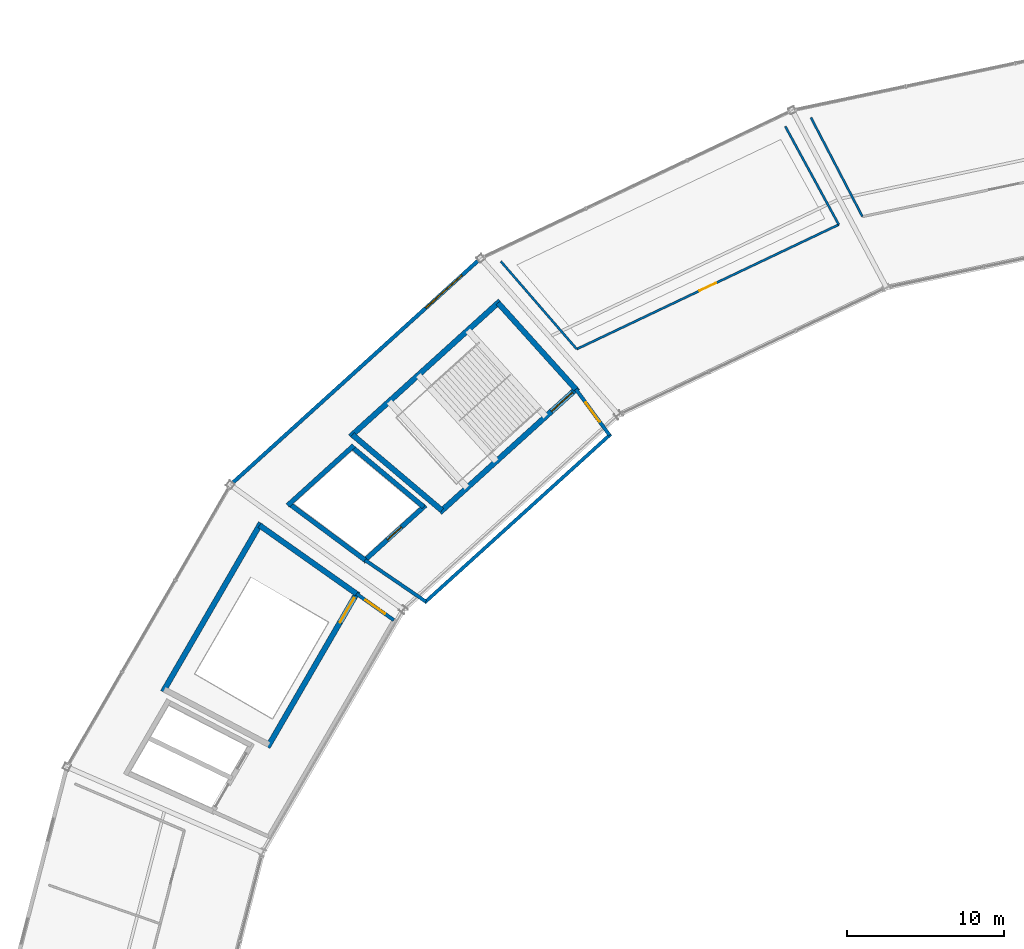
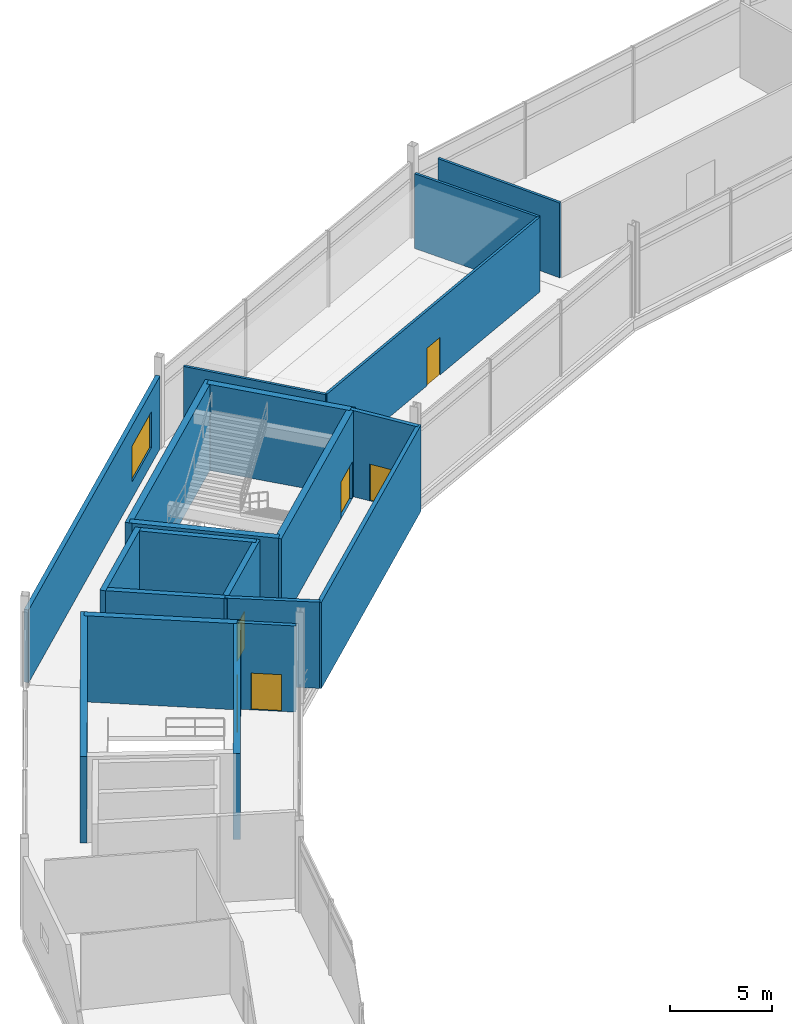
# One storey, part 71 of 86: 20 walls, 6 doors, 1 window, 7 openings.
"""IFC4 building model written with IfcOpenShell, lengths in metres."""

from ifc_helpers import new_model, si_unit, direction, frame, frame_2d, origin, place, context, subcontext, project, spatial, rectangle, extrude, material, layer, layer_set, type_object, element, fill, save


model = new_model("IFC4")

# Units and contexts
model_context = context("Model", 3, precision=1e-05, world=origin(), true_north=direction((0.0, 1.0)))
body_context = subcontext(model_context, "Body", "Model", "MODEL_VIEW")
ifc_project = project(units=[si_unit("LENGTHUNIT", "METRE"), si_unit("AREAUNIT", "SQUARE_METRE"), si_unit("VOLUMEUNIT", "CUBIC_METRE"), si_unit("PLANEANGLEUNIT", "RADIAN"), si_unit("MASSUNIT", "GRAM", prefix="KILO")], contexts=[model_context])

# Site, building, storey
site_placement = place(None, origin())
site = spatial("IfcSite", under=ifc_project, at=site_placement, CompositionType="ELEMENT")
building_placement = place(site_placement, origin())
building = spatial("IfcBuilding", under=site, at=building_placement, Name="Kazemori Nagisa Stadium", CompositionType="ELEMENT")
storey_placement = place(building_placement, frame((0.0, 0.0, 31.280029296875)))
storey = spatial("IfcBuildingStorey", under=building, at=storey_placement, Name="L06", CompositionType="ELEMENT", Elevation=31.280029296875)

# Wall, opening, door
ifc_material_1 = material(Name="Concrete C40/50 (Fc42)", Category="concrete")
ifc_layer_1 = layer(ifc_material_1, 0.35009765625, Name="Concrete C40/50 (Fc42)", Category="concrete")
ifc_layer_set_1 = layer_set([ifc_layer_1], Name="Concrete C40/50 (Fc42)")
wall_type_1 = type_object("IfcWallType", Name="Wall_W-CORE-350", PredefinedType="SHEAR", material=ifc_layer_set_1)
wall_1_placement = place(storey_placement, frame((66.583251953125, 164.860107421875, 0.0), z_axis=(0.0, 0.0, 1.0), x_axis=(-0.741348929385, -0.671119784315, 0.0)))
wall_1 = element("IfcWall", 1, at=wall_1_placement, inside=storey, type_object=wall_type_1, Name="Core stair front shear wall ST02 L06", PredefinedType="SHEAR", context=body_context, shape_type="SweptSolid", body=[
    extrude(rectangle(XDim=11.826416015625, YDim=0.35009765625, at=frame_2d((5.9130859375, 0.0))), origin(), (0.0, 0.0, 1.0), 5.159912109375),
])
opening_1_placement = place(wall_1_placement, frame((0.47509765625, 0.0, 0.0)))
opening_1 = element("IfcOpeningElement", 2, at=opening_1_placement, cuts=wall_1, Name="Opening D-ST-1800", PredefinedType="OPENING", context=body_context, shape_type="SweptSolid", body=[
    extrude(rectangle(XDim=1.800048828125, YDim=2.199951171875, at=frame_2d((0.89990234375, 1.10009765625))), frame((0.0, 0.18505859375, 0.0), z_axis=(0.0, -1.0, 0.0), x_axis=(1.0, 0.0, 0.0)), (0.0, 0.0, 1.0), 0.3701171875),
])
ifc_material_2 = material(Name="Galvanised steel sheet", Category="steel")
door_type_1 = type_object("IfcDoorType", Name="Door_D-ST-1800", OperationType="NOTDEFINED", PredefinedType="DOOR", material=ifc_material_2)
door_1_placement = place(opening_1_placement, frame((1.800048828125, 0.0, 0.0), z_axis=(0.0, 0.0, 1.0), x_axis=(-1.0, 0.0, 0.0)))
door_1 = element("IfcDoor", 3, at=door_1_placement, inside=storey, type_object=door_type_1, Name="Exit stair fire door ST02-L06", OperationType="SINGLE_SWING_LEFT", OverallHeight=2.199951171875, OverallWidth=1.800048828125, PredefinedType="DOOR", context=body_context, shape_type="SweptSolid", body=[
    extrude(rectangle(XDim=1.800048828125, YDim=2.199951171875, at=frame_2d((0.89990234375, 1.10009765625))), frame((0.0, 0.02490234375, 0.0), z_axis=(0.0, -1.0, 0.0), x_axis=(1.0, 0.0, 0.0)), (0.0, 0.0, 1.0), 0.050048828125),
])
fill(opening_1, door_1)

# Walls
wall_2_placement = place(storey_placement, frame((61.638671875, 170.3466796875, 0.0), z_axis=(0.0, 0.0, 1.0), x_axis=(-0.741351373721, -0.671117084183, 0.0)))
element("IfcWall", 4, at=wall_2_placement, inside=storey, type_object=wall_type_1, Name="Core stair rear shear wall ST02 L06", PredefinedType="SHEAR", context=body_context, shape_type="SweptSolid", body=[
    extrude(rectangle(XDim=12.830322265625, YDim=0.35009765625, at=frame_2d((6.4150390625, 0.0))), origin(), (0.0, 0.0, 1.0), 5.159912109375),
])
wall_3_placement = place(storey_placement, frame((66.45361328125, 164.74267578125, 0.0), z_axis=(0.0, 0.0, 1.0), x_axis=(-0.669463145673, 0.742845270958, 0.0)))
element("IfcWall", 5, at=wall_3_placement, inside=storey, type_object=wall_type_1, Name="Core stair left shear wall ST02 L06", PredefinedType="SHEAR", context=body_context, shape_type="SweptSolid", body=[
    extrude(rectangle(XDim=7.385986328125, YDim=0.35009765625, at=frame_2d((3.69287109375, 0.0))), origin(), (0.0, 0.0, 1.0), 5.159912109375),
])
wall_4_placement = place(storey_placement, frame((57.9453125, 157.04052734375, 0.0), z_axis=(0.0, 0.0, 1.0), x_axis=(-0.763422324031, 0.64589964791, 0.0)))
element("IfcWall", 6, at=wall_4_placement, inside=storey, type_object=wall_type_1, Name="Core stair right shear wall ST02 L06", PredefinedType="SHEAR", context=body_context, shape_type="SweptSolid", body=[
    extrude(rectangle(XDim=7.45166015625, YDim=0.35009765625, at=frame_2d((3.725830078125, 0.0))), origin(), (0.0, 0.0, 1.0), 5.159912109375),
])

# Wall, opening, door
wall_5_placement = place(storey_placement, frame((52.6064453125, 151.89990234375, 0.0), z_axis=(0.0, 0.0, 1.0), x_axis=(-0.501587404838, -0.865106973332, 0.0)))
wall_5 = element("IfcWall", 7, at=wall_5_placement, inside=storey, type_object=wall_type_1, Name="Core stair front shear wall ST08 L06", PredefinedType="SHEAR", context=body_context, shape_type="SweptSolid", body=[
    extrude(rectangle(XDim=11.435302734375, YDim=0.35009765625, at=frame_2d((5.7177734375, 0.0))), origin(), (0.0, 0.0, 1.0), 5.159912109375),
])
opening_2_placement = place(wall_5_placement, frame((0.47509765625, 0.0, 0.0)))
opening_2 = element("IfcOpeningElement", 8, at=opening_2_placement, cuts=wall_5, Name="Opening D-ST-1800", PredefinedType="OPENING", context=body_context, shape_type="SweptSolid", body=[
    extrude(rectangle(XDim=1.800048828125, YDim=2.199951171875, at=frame_2d((0.89990234375, 1.10009765625))), frame((0.0, 0.18505859375, 0.0), z_axis=(0.0, -1.0, 0.0), x_axis=(1.0, 0.0, 0.0)), (0.0, 0.0, 1.0), 0.3701171875),
])
door_2_placement = place(opening_2_placement, frame((1.800048828125, 0.0, 0.0), z_axis=(0.0, 0.0, 1.0), x_axis=(-1.0, 0.0, 0.0)))
door_2 = element("IfcDoor", 9, at=door_2_placement, inside=storey, type_object=door_type_1, Name="Exit stair fire door ST08-L06", OperationType="SINGLE_SWING_LEFT", OverallHeight=2.199951171875, OverallWidth=1.800048828125, PredefinedType="DOOR", context=body_context, shape_type="SweptSolid", body=[
    extrude(rectangle(XDim=1.800048828125, YDim=2.199951171875, at=frame_2d((0.89990234375, 1.10009765625))), frame((0.0, 0.02490234375, 0.0), z_axis=(0.0, -1.0, 0.0), x_axis=(1.0, 0.0, 0.0)), (0.0, 0.0, 1.0), 0.050048828125),
])
fill(opening_2, door_2)

# Walls
wall_6_placement = place(storey_placement, frame((46.443359375, 156.25, 0.0), z_axis=(0.0, 0.0, 1.0), x_axis=(-0.501601740165, -0.865098661577, 0.0)))
element("IfcWall", 10, at=wall_6_placement, inside=storey, type_object=wall_type_1, Name="Core stair rear shear wall ST08 L06", PredefinedType="SHEAR", context=body_context, shape_type="SweptSolid", body=[
    extrude(rectangle(XDim=12.404541015625, YDim=0.35009765625, at=frame_2d((6.2021484375, 0.0))), origin(), (0.0, 0.0, 1.0), 5.159912109375),
])
wall_7_placement = place(storey_placement, frame((52.518798828125, 151.748291015625, 0.0), z_axis=(0.0, 0.0, 1.0), x_axis=(-0.816983109824, 0.576661597701, 0.0)))
element("IfcWall", 11, at=wall_7_placement, inside=storey, type_object=wall_type_1, Name="Core stair left shear wall ST08 L06", PredefinedType="SHEAR", context=body_context, shape_type="SweptSolid", body=[
    extrude(rectangle(XDim=7.5439453125, YDim=0.35009765625, at=frame_2d((3.77197265625, 0.0))), origin(), (0.0, 0.0, 1.0), 5.159912109375),
])

# Wall, opening, window
ifc_material_3 = material(Name="Steel S355 (SN490B)", Category="steel")
ifc_layer_2 = layer(ifc_material_3, 0.239990234375, Name="Steel S355 (SN490B)", Category="steel")
ifc_layer_set_2 = layer_set([ifc_layer_2], Name="Steel S355 (SN490B)")
wall_type_2 = type_object("IfcWallType", Name="Wall_W-EXT-240", PredefinedType="SOLIDWALL", material=ifc_layer_set_2)
wall_8_placement = place(storey_placement, frame((60.253662109375, 172.9248046875, 0.0), z_axis=(0.0, 0.0, 1.0), x_axis=(-0.74134637924, -0.671122601309, 0.0)))
wall_8 = element("IfcWall", 12, at=wall_8_placement, inside=storey, type_object=wall_type_2, Name="Exterior facade wall L06-11", PredefinedType="SOLIDWALL", context=body_context, shape_type="SweptSolid", body=[
    extrude(rectangle(XDim=21.0439453125, YDim=0.239990234375, at=frame_2d((10.52197265625, 0.0))), origin(), (0.0, 0.0, 1.0), 4.35791015625),
])
opening_3_placement = place(wall_8_placement, frame((1.39990234375, 0.0, 1.0)))
opening_3 = element("IfcOpeningElement", 13, at=opening_3_placement, cuts=wall_8, Name="Opening WIN-L06-3100", PredefinedType="OPENING", context=body_context, shape_type="SweptSolid", body=[
    extrude(rectangle(XDim=3.10009765625, YDim=2.14990234375, at=frame_2d((1.550048828125, 1.074951171875))), frame((0.0, 0.1298828125, 0.0), z_axis=(0.0, -1.0, 0.0), x_axis=(1.0, 0.0, 0.0)), (0.0, 0.0, 1.0), 0.260009765625),
])
ifc_material_4 = material(Name="Low-e laminated double glazing", Category="glass")
window_type = type_object("IfcWindowType", Name="Window_WIN-L06-3100", PartitioningType="SINGLE_PANEL", PredefinedType="WINDOW", material=ifc_material_4)
window_placement = place(opening_3_placement, origin())
window = element("IfcWindow", 14, at=window_placement, inside=storey, type_object=window_type, Name="Core lobby window L06-11", OverallHeight=2.14990234375, OverallWidth=3.10009765625, PartitioningType="SINGLE_PANEL", PredefinedType="WINDOW", context=body_context, shape_type="SweptSolid", body=[
    extrude(rectangle(XDim=3.10009765625, YDim=2.14990234375, at=frame_2d((1.550048828125, 1.074951171875))), frame((0.0, 0.030029296875, 0.0), z_axis=(0.0, -1.0, 0.0), x_axis=(1.0, 0.0, 0.0)), (0.0, 0.0, 1.0), 0.06005859375),
])
fill(opening_3, window)

# Wall
ifc_material_5 = material(Name="Concrete C36/45 (Fc36)", Category="concrete")
ifc_layer_3 = layer(ifc_material_5, 0.219970703125, Name="Concrete C36/45 (Fc36)", Category="concrete")
ifc_layer_set_3 = layer_set([ifc_layer_3], Name="Concrete C36/45 (Fc36)")
wall_type_3 = type_object("IfcWallType", Name="Wall_W-LOBBY-220", PredefinedType="SOLIDWALL", material=ifc_layer_set_3)
wall_9_placement = place(storey_placement, frame((68.672607421875, 161.89794921875, 0.0), z_axis=(0.0, 0.0, 1.0), x_axis=(-0.741351035574, -0.671117457717, 0.0)))
element("IfcWall", 15, at=wall_9_placement, inside=storey, type_object=wall_type_3, Name="Core lobby fire wall ST02 L06", PredefinedType="SOLIDWALL", context=body_context, shape_type="SweptSolid", body=[
    extrude(rectangle(XDim=15.96923828125, YDim=0.219970703125, at=frame_2d((7.984619140625, 0.0))), origin(), (0.0, 0.0, 1.0), 5.159912109375),
])

# Wall, opening, door
wall_10_placement = place(storey_placement, frame((68.591064453125, 161.823974609375, 0.0), z_axis=(0.0, 0.0, 1.0), x_axis=(-0.590836915359, 0.806791013491, 0.0)))
wall_10 = element("IfcWall", 16, at=wall_10_placement, inside=storey, type_object=wall_type_3, Name="Core lobby left wall ST02 L06", PredefinedType="SOLIDWALL", context=body_context, shape_type="SweptSolid", body=[
    extrude(rectangle(XDim=3.61767578125, YDim=0.219970703125, at=frame_2d((1.808837890625, 0.0))), origin(), (0.0, 0.0, 1.0), 5.159912109375),
])
opening_4_placement = place(wall_10_placement, frame((1.05908203125, 0.0, 0.0)))
opening_4 = element("IfcOpeningElement", 17, at=opening_4_placement, cuts=wall_10, Name="Opening D-FFL-1500", PredefinedType="OPENING", context=body_context, shape_type="SweptSolid", body=[
    extrude(rectangle(XDim=1.5, YDim=2.199951171875, at=frame_2d((0.75, 1.10009765625))), frame((0.0, 0.119873046875, 0.0), z_axis=(0.0, -1.0, 0.0), x_axis=(1.0, 0.0, 0.0)), (0.0, 0.0, 1.0), 0.239990234375),
])
door_type_2 = type_object("IfcDoorType", Name="Door_D-FFL-1500", OperationType="NOTDEFINED", PredefinedType="DOOR", material=ifc_material_2)
door_3_placement = place(opening_4_placement, frame((1.5, 0.0, 0.0), z_axis=(0.0, 0.0, 1.0), x_axis=(-1.0, 0.0, 0.0)))
door_3 = element("IfcDoor", 18, at=door_3_placement, inside=storey, type_object=door_type_2, Name="Protected lobby fire door ST02-L06", OperationType="DOUBLE_DOOR_SINGLE_SWING", OverallHeight=2.199951171875, OverallWidth=1.5, PredefinedType="DOOR", context=body_context, shape_type="SweptSolid", body=[
    extrude(rectangle(XDim=1.5, YDim=2.199951171875, at=frame_2d((0.75, 1.10009765625))), frame((0.0, 0.02490234375, 0.0), z_axis=(0.0, -1.0, 0.0), x_axis=(1.0, 0.0, 0.0)), (0.0, 0.0, 1.0), 0.050048828125),
])
fill(opening_4, door_3)

# Wall
wall_11_placement = place(storey_placement, frame((56.915283203125, 151.25439453125, 0.0), z_axis=(0.0, 0.0, 1.0), x_axis=(-0.825385410642, 0.564569680287, 0.0)))
element("IfcWall", 19, at=wall_11_placement, inside=storey, type_object=wall_type_3, Name="Core lobby right wall ST02 L06", PredefinedType="SOLIDWALL", context=body_context, shape_type="SweptSolid", body=[
    extrude(rectangle(XDim=4.673828125, YDim=0.219970703125, at=frame_2d((2.3369140625, 0.0))), origin(), (0.0, 0.0, 1.0), 5.159912109375),
])

# Wall, opening, door
wall_12_placement = place(storey_placement, frame((54.88916015625, 150.0751953125, 0.0), z_axis=(0.0, 0.0, 1.0), x_axis=(-0.816984187086, 0.57666007149, 0.0)))
wall_12 = element("IfcWall", 20, at=wall_12_placement, inside=storey, type_object=wall_type_3, Name="Core lobby left wall ST08 L06", PredefinedType="SOLIDWALL", context=body_context, shape_type="SweptSolid", body=[
    extrude(rectangle(XDim=2.9013671875, YDim=0.219970703125, at=frame_2d((1.45068359375, 0.0))), origin(), (0.0, 0.0, 1.0), 5.159912109375),
])
opening_5_placement = place(wall_12_placement, frame((0.700927734375, 0.0, 0.0)))
opening_5 = element("IfcOpeningElement", 21, at=opening_5_placement, cuts=wall_12, Name="Opening D-FFL-1500", PredefinedType="OPENING", context=body_context, shape_type="SweptSolid", body=[
    extrude(rectangle(XDim=1.5, YDim=2.199951171875, at=frame_2d((0.75, 1.10009765625))), frame((0.0, 0.119873046875, 0.0), z_axis=(0.0, -1.0, 0.0), x_axis=(1.0, 0.0, 0.0)), (0.0, 0.0, 1.0), 0.239990234375),
])
door_4_placement = place(opening_5_placement, frame((1.5, 0.0, 0.0), z_axis=(0.0, 0.0, 1.0), x_axis=(-1.0, 0.0, 0.0)))
door_4 = element("IfcDoor", 22, at=door_4_placement, inside=storey, type_object=door_type_2, Name="Protected lobby fire door ST08-L06", OperationType="DOUBLE_DOOR_SINGLE_SWING", OverallHeight=2.199951171875, OverallWidth=1.5, PredefinedType="DOOR", context=body_context, shape_type="SweptSolid", body=[
    extrude(rectangle(XDim=1.5, YDim=2.199951171875, at=frame_2d((0.75, 1.10009765625))), frame((0.0, 0.02490234375, 0.0), z_axis=(0.0, -1.0, 0.0), x_axis=(1.0, 0.0, 0.0)), (0.0, 0.0, 1.0), 0.050048828125),
])
fill(opening_5, door_4)

# Wall
ifc_material_6 = material(Name="Gypsum plasterboard", Category="gypsum")
ifc_layer_4 = layer(ifc_material_6, 0.139892578125, Name="Gypsum plasterboard", Category="gypsum")
ifc_layer_set_4 = layer_set([ifc_layer_4], Name="Gypsum plasterboard")
wall_type_4 = type_object("IfcWallType", Name="Wall_W-PART-140", PredefinedType="PARTITIONING", material=ifc_layer_set_4)
wall_13_placement = place(storey_placement, frame((84.657958984375, 175.709716796875, 0.0), z_axis=(0.0, 0.0, 1.0), x_axis=(-0.461466568794, 0.887157599238, 0.0)))
element("IfcWall", 23, at=wall_13_placement, inside=storey, type_object=wall_type_4, Name="Room radial partition L06-B09-R", PredefinedType="PARTITIONING", context=body_context, shape_type="SweptSolid", body=[
    extrude(rectangle(XDim=7.09033203125, YDim=0.139892578125, at=frame_2d((3.545166015625, 0.0))), origin(), (0.0, 0.0, 1.0), 4.47998046875),
])

# Wall, opening, door
wall_14_placement = place(storey_placement, frame((83.15283203125, 175.200439453125, 0.0), z_axis=(0.0, 0.0, 1.0), x_axis=(-0.90321677741, -0.429184637429, 0.0)))
wall_14 = element("IfcWall", 24, at=wall_14_placement, inside=storey, type_object=wall_type_4, Name="Room corridor partition L06-B10", PredefinedType="PARTITIONING", context=body_context, shape_type="SweptSolid", body=[
    extrude(rectangle(XDim=18.42724609375, YDim=0.139892578125, at=frame_2d((9.213623046875, 0.0))), origin(), (0.0, 0.0, 1.0), 4.47998046875),
])
opening_6_placement = place(wall_14_placement, frame((8.638916015625, 0.0, 0.0)))
opening_6 = element("IfcOpeningElement", 25, at=opening_6_placement, cuts=wall_14, Name="Opening D-STU-1150", PredefinedType="OPENING", context=body_context, shape_type="SweptSolid", body=[
    extrude(rectangle(XDim=1.14990234375, YDim=2.25, at=frame_2d((0.574951171875, 1.125))), frame((0.0, 0.079833984375, 0.0), z_axis=(0.0, -1.0, 0.0), x_axis=(1.0, 0.0, 0.0)), (0.0, 0.0, 1.0), 0.159912109375),
])
door_type_3 = type_object("IfcDoorType", Name="Door_D-STU-1150", OperationType="NOTDEFINED", PredefinedType="DOOR", material=ifc_material_2)
door_5_placement = place(opening_6_placement, origin())
door_5 = element("IfcDoor", 26, at=door_5_placement, inside=storey, type_object=door_type_3, Name="Room entrance door D-STU-1150 L06-B10", OperationType="SINGLE_SWING_LEFT", OverallHeight=2.25, OverallWidth=1.14990234375, PredefinedType="DOOR", context=body_context, shape_type="SweptSolid", body=[
    extrude(rectangle(XDim=1.14990234375, YDim=2.25, at=frame_2d((0.574951171875, 1.125))), frame((0.0, 0.02490234375, 0.0), z_axis=(0.0, -1.0, 0.0), x_axis=(1.0, 0.0, 0.0)), (0.0, 0.0, 1.0), 0.050048828125),
])
fill(opening_6, door_5)

# Walls
wall_15_placement = place(storey_placement, frame((83.15283203125, 175.200439453125, 0.0), z_axis=(0.0, 0.0, 1.0), x_axis=(-0.47812325427, 0.878292749444, 0.0)))
element("IfcWall", 27, at=wall_15_placement, inside=storey, type_object=wall_type_4, Name="Room radial partition L06-B10-L", PredefinedType="PARTITIONING", context=body_context, shape_type="SweptSolid", body=[
    extrude(rectangle(XDim=7.112548828125, YDim=0.139892578125, at=frame_2d((3.55615234375, 0.0))), origin(), (0.0, 0.0, 1.0), 4.47998046875),
])
wall_16_placement = place(storey_placement, frame((66.509033203125, 167.291748046875, 0.0), z_axis=(0.0, 0.0, 1.0), x_axis=(-0.654288201841, 0.7562452968, 0.0)))
element("IfcWall", 28, at=wall_16_placement, inside=storey, type_object=wall_type_4, Name="Room radial partition L06-B10-R", PredefinedType="PARTITIONING", context=body_context, shape_type="SweptSolid", body=[
    extrude(rectangle(XDim=7.367919921875, YDim=0.139892578125, at=frame_2d((3.68408203125, 0.0))), origin(), (0.0, 0.0, 1.0), 4.47998046875),
])

# Wall, opening, door
ifc_layer_5 = layer(ifc_material_1, 0.300048828125, Name="Concrete C40/50 (Fc42)", Category="concrete")
ifc_layer_set_5 = layer_set([ifc_layer_5], Name="Concrete C40/50 (Fc42)")
wall_type_5 = type_object("IfcWallType", Name="Wall_W-SHAFT-300", PredefinedType="SHEAR", material=ifc_layer_set_5)
wall_17_placement = place(storey_placement, frame((56.89697265625, 157.368896484375, 0.0), z_axis=(0.0, 0.0, 1.0), x_axis=(-0.741350155641, -0.671118429736, 0.0)))
wall_17 = element("IfcWall", 29, at=wall_17_placement, inside=storey, type_object=wall_type_5, Name="Lift shaft front wall FL2 L06", PredefinedType="SHEAR", context=body_context, shape_type="SweptSolid", body=[
    extrude(rectangle(XDim=5.3291015625, YDim=0.300048828125, at=frame_2d((2.66455078125, 0.0))), origin(), (0.0, 0.0, 1.0), 5.159912109375),
])
opening_7_placement = place(wall_17_placement, frame((2.06494140625, 0.0, 0.0)))
opening_7 = element("IfcOpeningElement", 30, at=opening_7_placement, cuts=wall_17, Name="Opening LD-FF", PredefinedType="OPENING", context=body_context, shape_type="SweptSolid", body=[
    extrude(rectangle(XDim=1.199951171875, YDim=2.199951171875, at=frame_2d((0.60009765625, 1.10009765625))), frame((0.0, 0.159912109375, 0.0), z_axis=(0.0, -1.0, 0.0), x_axis=(1.0, 0.0, 0.0)), (0.0, 0.0, 1.0), 0.320068359375),
])
ifc_material_7 = material(Name="Stainless steel SUS304", Category="steel")
door_type_4 = type_object("IfcDoorType", Name="Door_LD-FF", OperationType="SLIDING_TO_LEFT", PredefinedType="DOOR", material=ifc_material_7)
door_6_placement = place(opening_7_placement, origin())
door_6 = element("IfcDoor", 31, at=door_6_placement, inside=storey, type_object=door_type_4, Name="Lift landing door FL2-L06", OperationType="SLIDING_TO_LEFT", OverallHeight=2.199951171875, OverallWidth=1.199951171875, PredefinedType="DOOR", context=body_context, shape_type="SweptSolid", body=[
    extrude(rectangle(XDim=1.199951171875, YDim=2.199951171875, at=frame_2d((0.60009765625, 1.10009765625))), frame((0.0, 0.02490234375, 0.0), z_axis=(0.0, -1.0, 0.0), x_axis=(1.0, 0.0, 0.0)), (0.0, 0.0, 1.0), 0.050048828125),
])
fill(opening_7, door_6)

# Walls
wall_18_placement = place(storey_placement, frame((52.345703125, 161.167724609375, 0.0), z_axis=(0.0, 0.0, 1.0), x_axis=(-0.74134208775, -0.671127341815, 0.0)))
element("IfcWall", 32, at=wall_18_placement, inside=storey, type_object=wall_type_5, Name="Lift shaft B wall FL2 L06", PredefinedType="SHEAR", context=body_context, shape_type="SweptSolid", body=[
    extrude(rectangle(XDim=5.674560546875, YDim=0.300048828125, at=frame_2d((2.83740234375, 0.0))), origin(), (0.0, 0.0, 1.0), 5.159912109375),
])
wall_19_placement = place(storey_placement, frame((56.785888671875, 157.26806640625, 0.0), z_axis=(0.0, 0.0, 1.0), x_axis=(-0.767711354146, 0.640795815151, 0.0)))
element("IfcWall", 33, at=wall_19_placement, inside=storey, type_object=wall_type_5, Name="Lift shaft L wall FL2 L06", PredefinedType="SHEAR", context=body_context, shape_type="SweptSolid", body=[
    extrude(rectangle(XDim=5.9287109375, YDim=0.300048828125, at=frame_2d((2.96435546875, 0.0))), origin(), (0.0, 0.0, 1.0), 5.159912109375),
])
wall_20_placement = place(storey_placement, frame((53.0576171875, 153.89306640625, 0.0), z_axis=(0.0, 0.0, 1.0), x_axis=(-0.803101805449, 0.59584183311, 0.0)))
element("IfcWall", 34, at=wall_20_placement, inside=storey, type_object=wall_type_5, Name="Lift shaft R wall FL2 L06", PredefinedType="SHEAR", context=body_context, shape_type="SweptSolid", body=[
    extrude(rectangle(XDim=5.986328125, YDim=0.300048828125, at=frame_2d((2.9931640625, 0.0))), origin(), (0.0, 0.0, 1.0), 5.159912109375),
])

save(model, "model.ifc")
